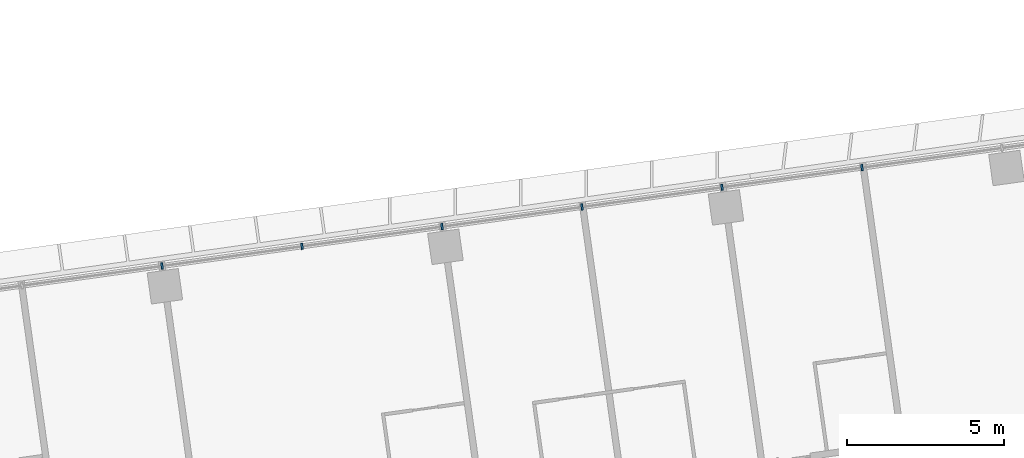
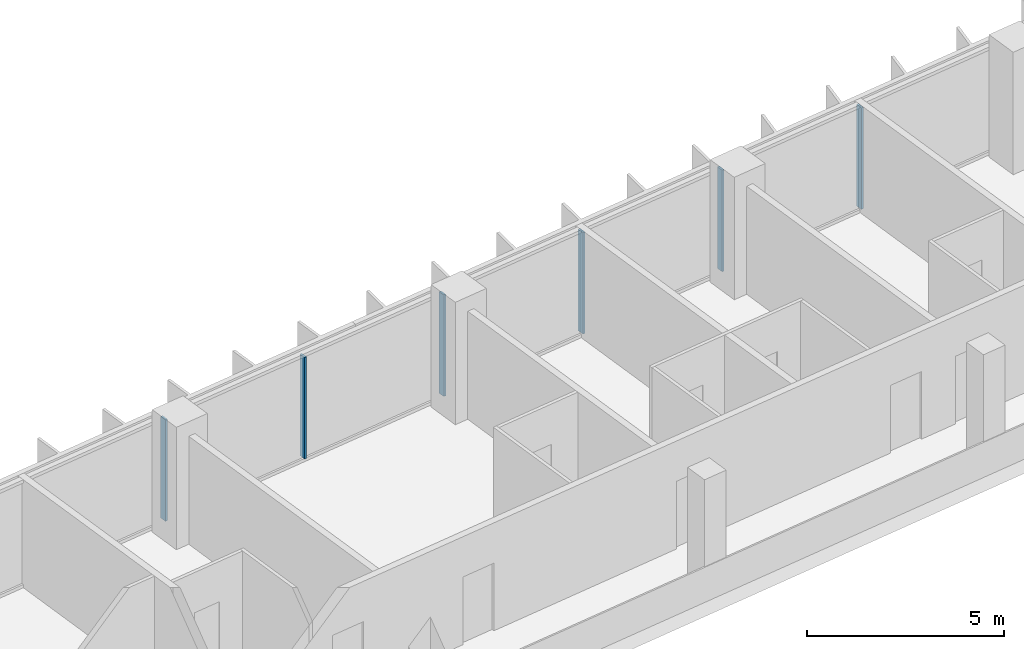
# One storey, part 10 of 24: 6 members, 1 element without a shape of its own.
"""IFC4 building model written with IfcOpenShell, lengths in metres."""

from ifc_helpers import new_model, si_unit, direction, frame, origin, origin_2d, place, context, subcontext, project, spatial, rectangle, extrude, material, material_profile, profile_set, type_object, element, aggregate, save


model = new_model("IFC4")

# Units and contexts
model_context = context("Model", 3, precision=1e-05, world=origin(), true_north=direction((0.0, 1.0)))
body_context = subcontext(model_context, "Body", "Model", "MODEL_VIEW")
ifc_project = project(units=[si_unit("LENGTHUNIT", "METRE"), si_unit("AREAUNIT", "SQUARE_METRE"), si_unit("VOLUMEUNIT", "CUBIC_METRE"), si_unit("PLANEANGLEUNIT", "RADIAN"), si_unit("MASSUNIT", "GRAM", prefix="KILO")], contexts=[model_context])

# Site, building, storey
site_placement = place(None, origin())
site = spatial("IfcSite", under=ifc_project, at=site_placement, CompositionType="ELEMENT")
building_placement = place(site_placement, origin())
building = spatial("IfcBuilding", under=site, at=building_placement, Name="Mirante Cascada Hotel Towers", CompositionType="ELEMENT")
storey_placement = place(building_placement, frame((0.0, 0.0, 47.1)))
storey = spatial("IfcBuildingStorey", under=building, at=storey_placement, Name="L08", CompositionType="ELEMENT", Elevation=47.1)

# Curtain wall, members
ifc_material_1 = material(Name="Aluminium mullion and transom frame with clear laminated glass", Category="aluminium")
curtain_wall_type = type_object("IfcCurtainWallType", Name="Ribbon curtain wall ECW1", PredefinedType="NOTDEFINED", material=ifc_material_1)
curtain_wall_placement = place(storey_placement, origin())
curtain_wall = element("IfcCurtainWall", 1, at=curtain_wall_placement, inside=storey, type_object=curtain_wall_type, Name="Front ribbon wall T2 L08", PredefinedType="NOTDEFINED")
ifc_material_2 = material(Name="Anodised aluminium extrusion", Category="aluminium")
ifc_material_profile = material_profile(ifc_material_2, rectangle(XDim=0.2, YDim=0.065, at=origin_2d()), Name="ECW1 MULLION 65x200")
ifc_profile_set = profile_set([ifc_material_profile], Name="Anodised aluminium extrusion")
member_type = type_object("IfcMemberType", Name="ECW1 mullion 65x200", PredefinedType="MULLION", material=ifc_profile_set)
member_1_placement = place(storey_placement, frame((85.2633, 24.802, 0.1), z_axis=(0.0, 0.0, 1.0), x_axis=(0.1391731, -0.9902681, 0.0)))
member_1 = element("IfcMember", 2, at=member_1_placement, type_object=member_type, Name="ECW1 mullion 3", PredefinedType="MULLION", context=body_context, shape_type="SweptSolid", body=[
    extrude(rectangle(XDim=0.2, YDim=0.065, at=origin_2d()), origin(), (0.0, 0.0, 1.0), 3.15),
])
member_2_placement = place(storey_placement, frame((80.8159, 24.177, 0.1), z_axis=(0.0, 0.0, 1.0), x_axis=(0.1391731, -0.9902681, 0.0)))
member_2 = element("IfcMember", 3, at=member_2_placement, type_object=member_type, Name="ECW1 mullion 4", PredefinedType="MULLION", context=body_context, shape_type="SweptSolid", body=[
    extrude(rectangle(XDim=0.2, YDim=0.065, at=origin_2d()), origin(), (0.0, 0.0, 1.0), 3.15),
])
member_3_placement = place(storey_placement, frame((76.3685, 23.5519, 0.1), z_axis=(0.0, 0.0, 1.0), x_axis=(0.1391731, -0.9902681, 0.0)))
member_3 = element("IfcMember", 4, at=member_3_placement, type_object=member_type, Name="ECW1 mullion 5", PredefinedType="MULLION", context=body_context, shape_type="SweptSolid", body=[
    extrude(rectangle(XDim=0.2, YDim=0.065, at=origin_2d()), origin(), (0.0, 0.0, 1.0), 3.15),
])
member_4_placement = place(storey_placement, frame((71.9211, 22.9269, 0.1), z_axis=(0.0, 0.0, 1.0), x_axis=(0.1391731, -0.9902681, 0.0)))
member_4 = element("IfcMember", 5, at=member_4_placement, type_object=member_type, Name="ECW1 mullion 6", PredefinedType="MULLION", context=body_context, shape_type="SweptSolid", body=[
    extrude(rectangle(XDim=0.2, YDim=0.065, at=origin_2d()), origin(), (0.0, 0.0, 1.0), 3.15),
])
member_5_placement = place(storey_placement, frame((67.4737, 22.3018, 0.1), z_axis=(0.0, 0.0, 1.0), x_axis=(0.1391731, -0.9902681, 0.0)))
member_5 = element("IfcMember", 6, at=member_5_placement, type_object=member_type, Name="ECW1 mullion 7", PredefinedType="MULLION", context=body_context, shape_type="SweptSolid", body=[
    extrude(rectangle(XDim=0.2, YDim=0.065, at=origin_2d()), origin(), (0.0, 0.0, 1.0), 3.15),
])
member_6_placement = place(storey_placement, frame((63.0262, 21.6768, 0.1), z_axis=(0.0, 0.0, 1.0), x_axis=(0.1391731, -0.9902681, 0.0)))
member_6 = element("IfcMember", 7, at=member_6_placement, type_object=member_type, Name="ECW1 mullion 8", PredefinedType="MULLION", context=body_context, shape_type="SweptSolid", body=[
    extrude(rectangle(XDim=0.2, YDim=0.065, at=origin_2d()), origin(), (0.0, 0.0, 1.0), 3.15),
])
aggregate(curtain_wall, [member_1, member_2, member_3, member_4, member_5, member_6])

save(model, "model.ifc")
